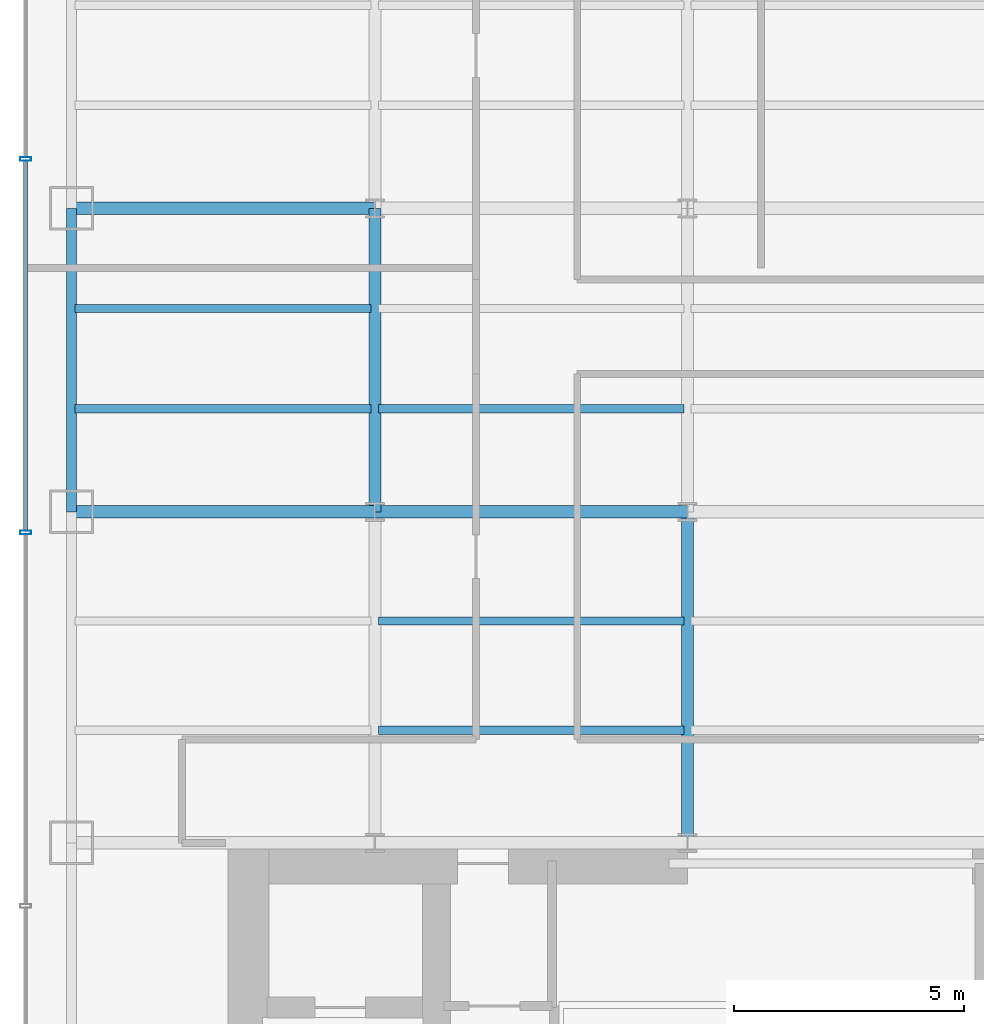
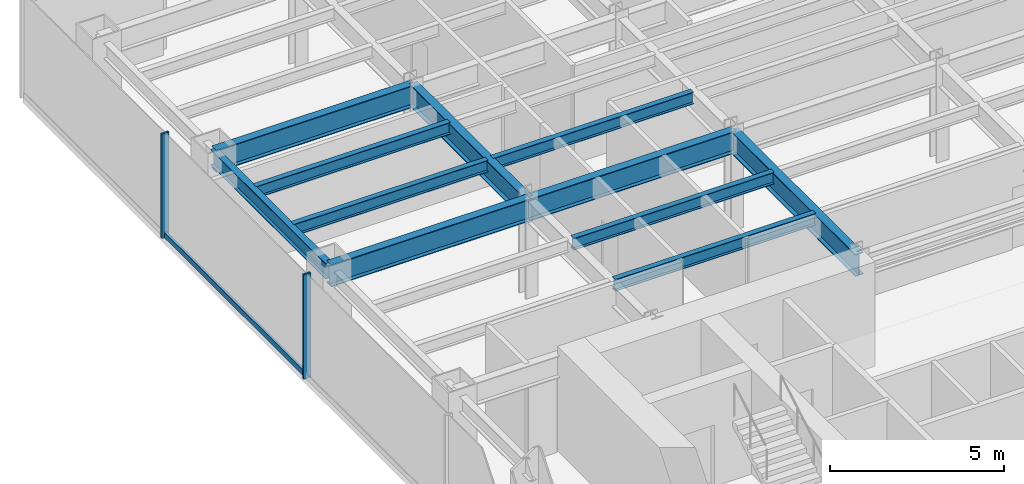
# One storey, part 4 of 23: 11 beams, 3 members, 1 element without a shape of its own.
"""IFC4 building model written with IfcOpenShell, lengths in metres."""

from ifc_helpers import new_model, si_unit, derived_unit, direction, frame, origin, origin_2d, place, context, subcontext, project, spatial, hollow_rectangle, i_section, extrude, source, transform, mapped, material, material_profile, profile_set, type_object, element, aggregate, save


model = new_model("IFC4")

# Units and contexts
model_context = context("Model", 3, precision=1e-05, world=origin(), true_north=direction((0.0, 1.0)))
body_context = subcontext(model_context, "Body", "Model", "MODEL_VIEW")
ifc_project = project(units=[si_unit("LENGTHUNIT", "METRE"), si_unit("AREAUNIT", "SQUARE_METRE"), si_unit("VOLUMEUNIT", "CUBIC_METRE"), si_unit("PLANEANGLEUNIT", "RADIAN"), si_unit("MASSUNIT", "GRAM", prefix="KILO"), derived_unit("THERMALTRANSMITTANCEUNIT", [(si_unit("POWERUNIT", "WATT"), 1), (si_unit("LENGTHUNIT", "METRE"), -2), (si_unit("THERMODYNAMICTEMPERATUREUNIT", "KELVIN"), -1)])], contexts=[model_context])

# Site, building, storey
site_placement = place(None, origin())
site = spatial("IfcSite", under=ifc_project, at=site_placement, CompositionType="ELEMENT")
building_placement = place(site_placement, origin())
building = spatial("IfcBuilding", under=site, at=building_placement, Name="Skarnbrae Concourse Arena and Tower", CompositionType="ELEMENT")
storey_placement = place(building_placement, frame((0.0, 0.0, 43.449951171875)))
storey = spatial("IfcBuildingStorey", under=building, at=storey_placement, Name="L09", CompositionType="ELEMENT", Elevation=43.449951171875)

# Beams
ifc_material_1 = material(Name="Steel CSA G40.21 350W", Category="steel")
ifc_material_profile_1 = material_profile(ifc_material_1, i_section(OverallWidth=0.26806640625, OverallDepth=0.77001953125, WebThickness=0.015625, FlangeThickness=0.025390625, at=origin_2d()), Name="W760X196")
ifc_profile_set_1 = profile_set([ifc_material_profile_1], Name="Steel CSA G40.21 350W")
beam_type_1 = type_object("IfcBeamType", Name="BM-GIRD-W760X196", PredefinedType="BEAM", material=ifc_profile_set_1)
shared_shape_1 = source(origin(), body_context, "Body", "SweptSolid", [
    extrude(i_section(OverallWidth=0.26806640625, OverallDepth=0.77001953125, WebThickness=0.015625, FlangeThickness=0.025390625, at=origin_2d()), origin(), (0.0, 0.0, 1.0), 6.60009765625),
])
for number, where, z_axis, x_axis, name in (
    (1, (1.0, 21.199951171875, 3.01513671875), (1.0, 0.0, 0.0), (0.0, 1.0, 0.0), "L09 Primary E-W girder Y21.2-1"),
    (2, (1.0, 27.800048828125, 3.01513671875), (1.0, 0.0, 0.0), (0.0, 1.0, 0.0), "L09 Primary E-W girder Y27.8-1"),
    (3, (7.60009765625, 21.199951171875, 3.01513671875), (0.0, 1.0, 0.0), (-1.0, 0.0, 0.0), "L09 Primary N-S girder X7.6-2"),
):
    element("IfcBeam", number, at=place(storey_placement, frame(where, z_axis=z_axis, x_axis=x_axis)), inside=storey, type_object=beam_type_1, Name=name, PredefinedType="BEAM", context=body_context, shape_type="MappedRepresentation", body=[
        mapped(shared_shape_1, transform((0.0, 0.0, 0.0))),
    ])
shared_shape_2 = source(origin(), body_context, "Body", "SweptSolid", [
    extrude(i_section(OverallWidth=0.26806640625, OverallDepth=0.77001953125, WebThickness=0.015625, FlangeThickness=0.025390625, at=origin_2d()), origin(), (0.0, 0.0, 1.0), 6.7998046875),
])
beam_1_placement = place(storey_placement, frame((7.60009765625, 21.199951171875, 3.01513671875), z_axis=(1.0, 0.0, 0.0), x_axis=(0.0, 1.0, 0.0)))
element("IfcBeam", 4, at=beam_1_placement, inside=storey, type_object=beam_type_1, Name="L09 Primary E-W girder Y21.2-2", PredefinedType="BEAM", context=body_context, shape_type="MappedRepresentation", body=[
    mapped(shared_shape_2, transform((0.0, 0.0, 0.0))),
])
ifc_material_profile_2 = material_profile(ifc_material_1, i_section(OverallWidth=0.214111328125, OverallDepth=0.549072265625, WebThickness=0.0146484375, FlangeThickness=0.023681640625, at=origin_2d()), Name="W530X138")
ifc_profile_set_2 = profile_set([ifc_material_profile_2], Name="Steel CSA G40.21 350W")
beam_type_2 = type_object("IfcBeamType", Name="BM-SPAN-W530X138", PredefinedType="SPANDREL", material=ifc_profile_set_2)
shared_shape_3 = source(origin(), body_context, "Body", "SweptSolid", [
    extrude(i_section(OverallWidth=0.214111328125, OverallDepth=0.549072265625, WebThickness=0.0146484375, FlangeThickness=0.023681640625, at=origin_2d()), origin(), (0.0, 0.0, 1.0), 6.60009765625),
])
beam_2_placement = place(storey_placement, frame((1.0, 21.199951171875, 3.12548828125), z_axis=(0.0, 1.0, 0.0), x_axis=(-1.0, 0.0, 0.0)))
element("IfcBeam", 5, at=beam_2_placement, inside=storey, type_object=beam_type_2, Name="L09 Perimeter spandrel X1.0-3", PredefinedType="SPANDREL", context=body_context, shape_type="MappedRepresentation", body=[
    mapped(shared_shape_3, transform((0.0, 0.0, 0.0))),
])
shared_shape_4 = source(origin(), body_context, "Body", "SweptSolid", [
    extrude(i_section(OverallWidth=0.26806640625, OverallDepth=0.77001953125, WebThickness=0.015625, FlangeThickness=0.025390625, at=origin_2d()), origin(), (0.0, 0.0, 1.0), 7.199951171875),
])
beam_3_placement = place(storey_placement, frame((14.39990234375, 14.0, 3.01513671875), z_axis=(0.0, 1.0, 0.0), x_axis=(-1.0, 0.0, 0.0)))
element("IfcBeam", 6, at=beam_3_placement, inside=storey, type_object=beam_type_1, Name="L09 Primary N-S girder X14.4-1", PredefinedType="BEAM", context=body_context, shape_type="MappedRepresentation", body=[
    mapped(shared_shape_4, transform((0.0, 0.0, 0.0))),
])
ifc_material_profile_3 = material_profile(ifc_material_1, i_section(OverallWidth=0.180908203125, OverallDepth=0.4169921875, WebThickness=0.010986328125, FlangeThickness=0.018310546875, at=origin_2d()), Name="W410X85")
ifc_profile_set_3 = profile_set([ifc_material_profile_3], Name="Steel CSA G40.21 350W")
beam_type_3 = type_object("IfcBeamType", Name="BM-JOIST-W410X85", PredefinedType="JOIST", material=ifc_profile_set_3)
shared_shape_5 = source(origin(), body_context, "Body", "SweptSolid", [
    extrude(i_section(OverallWidth=0.180908203125, OverallDepth=0.4169921875, WebThickness=0.010986328125, FlangeThickness=0.018310546875, at=origin_2d()), origin(), (0.0, 0.0, 1.0), 6.43994140625),
])
for number, where, z_axis, x_axis, name in (
    (7, (1.080078125, 23.444091796875, 3.191650390625), (1.0, 0.0, 0.0), (0.0, 1.0, 0.0), "L09 Secondary floor joist 2.1.1"),
    (8, (1.080078125, 25.6220703125, 3.191650390625), (1.0, 0.0, 0.0), (0.0, 1.0, 0.0), "L09 Secondary floor joist 2.2.1"),
):
    element("IfcBeam", number, at=place(storey_placement, frame(where, z_axis=z_axis, x_axis=x_axis)), inside=storey, type_object=beam_type_3, Name=name, PredefinedType="JOIST", context=body_context, shape_type="MappedRepresentation", body=[
        mapped(shared_shape_5, transform((0.0, 0.0, 0.0))),
    ])
shared_shape_6 = source(origin(), body_context, "Body", "SweptSolid", [
    extrude(i_section(OverallWidth=0.180908203125, OverallDepth=0.4169921875, WebThickness=0.010986328125, FlangeThickness=0.018310546875, at=origin_2d()), origin(), (0.0, 0.0, 1.0), 6.64013671875),
])
for number, where, z_axis, x_axis, name in (
    (9, (7.679931640625, 16.447998046875, 3.191650390625), (1.0, 0.0, 0.0), (0.0, 1.0, 0.0), "L09 Secondary floor joist 1.1.2"),
    (10, (7.679931640625, 18.823974609375, 3.191650390625), (1.0, 0.0, 0.0), (0.0, 1.0, 0.0), "L09 Secondary floor joist 1.2.2"),
    (11, (7.679931640625, 23.444091796875, 3.191650390625), (1.0, 0.0, 0.0), (0.0, 1.0, 0.0), "L09 Secondary floor joist 2.1.2"),
):
    element("IfcBeam", number, at=place(storey_placement, frame(where, z_axis=z_axis, x_axis=x_axis)), inside=storey, type_object=beam_type_3, Name=name, PredefinedType="JOIST", context=body_context, shape_type="MappedRepresentation", body=[
        mapped(shared_shape_6, transform((0.0, 0.0, 0.0))),
    ])

# Curtain wall, members
ifc_material_2 = material(Name="Bronze anodised aluminium 6063-T6", Category="aluminium")
curtain_wall_type = type_object("IfcCurtainWallType", Name="CW-SYS-02-LOWZONE", PredefinedType="USERDEFINED", material=ifc_material_2)
curtain_wall_placement = place(storey_placement, origin())
curtain_wall = element("IfcCurtainWall", 12, at=curtain_wall_placement, inside=storey, type_object=curtain_wall_type, Name="L09 Unitised curtain wall CW-L09-E19", ObjectType="UNITISED CURTAIN WALL", PredefinedType="USERDEFINED")
ifc_material_profile_4 = material_profile(ifc_material_2, hollow_rectangle(XDim=0.080078125, YDim=0.18994140625, WallThickness=0.0048828125, at=origin_2d()), Name="ALU-TRAN-80X190")
ifc_profile_set_4 = profile_set([ifc_material_profile_4], Name="Bronze anodised aluminium 6063-T6")
member_type_1 = type_object("IfcMemberType", Name="CWT-CW-02", PredefinedType="USERDEFINED", material=ifc_profile_set_4)
shared_shape_7 = source(origin(), body_context, "Body", "SweptSolid", [
    extrude(hollow_rectangle(XDim=0.080078125, YDim=0.18994140625, WallThickness=0.0048828125, at=origin_2d()), origin(), (0.0, 0.0, 1.0), 8.044921875),
])
member_1_placement = place(storey_placement, frame((0.0, 28.8349609375, 0.094970703125), z_axis=(0.0, -1.0, 0.0), x_axis=(1.0, 0.0, 0.0)))
member_1 = element("IfcMember", 13, at=member_1_placement, type_object=member_type_1, Name="CW-L09-E19 Transom 2", ObjectType="TRANSOM", PredefinedType="USERDEFINED", context=body_context, shape_type="MappedRepresentation", body=[
    mapped(shared_shape_7, transform((0.0, 0.0, 0.0))),
])
ifc_material_profile_5 = material_profile(ifc_material_2, hollow_rectangle(XDim=0.080078125, YDim=0.239990234375, WallThickness=0.0048828125, at=origin_2d()), Name="ALU-MULL-80X240")
ifc_profile_set_5 = profile_set([ifc_material_profile_5], Name="Bronze anodised aluminium 6063-T6")
member_type_2 = type_object("IfcMemberType", Name="CWM-CW-02", PredefinedType="MULLION", material=ifc_profile_set_5)
shared_shape_8 = source(origin(), body_context, "Body", "SweptSolid", [
    extrude(hollow_rectangle(XDim=0.080078125, YDim=0.239990234375, WallThickness=0.0048828125, at=origin_2d()), origin(), (0.0, 0.0, 1.0), 3.650146484375),
])
member_2_placement = place(storey_placement, frame((0.0, 28.875, 0.0), z_axis=(0.0, 0.0, 1.0), x_axis=(0.0, -1.0, 0.0)))
member_2 = element("IfcMember", 14, at=member_2_placement, type_object=member_type_2, Name="CW-L09-E19 Mullion 2", PredefinedType="MULLION", context=body_context, shape_type="MappedRepresentation", body=[
    mapped(shared_shape_8, transform((0.0, 0.0, 0.0))),
])
member_3_placement = place(storey_placement, frame((0.0, 20.75, 0.0), z_axis=(0.0, 0.0, 1.0), x_axis=(0.0, -1.0, 0.0)))
member_3 = element("IfcMember", 15, at=member_3_placement, type_object=member_type_2, Name="CW-L09-E19 Mullion 3", PredefinedType="MULLION", context=body_context, shape_type="MappedRepresentation", body=[
    mapped(shared_shape_8, transform((0.0, 0.0, 0.0))),
])
aggregate(curtain_wall, [member_2, member_3, member_1])

save(model, "model.ifc")
